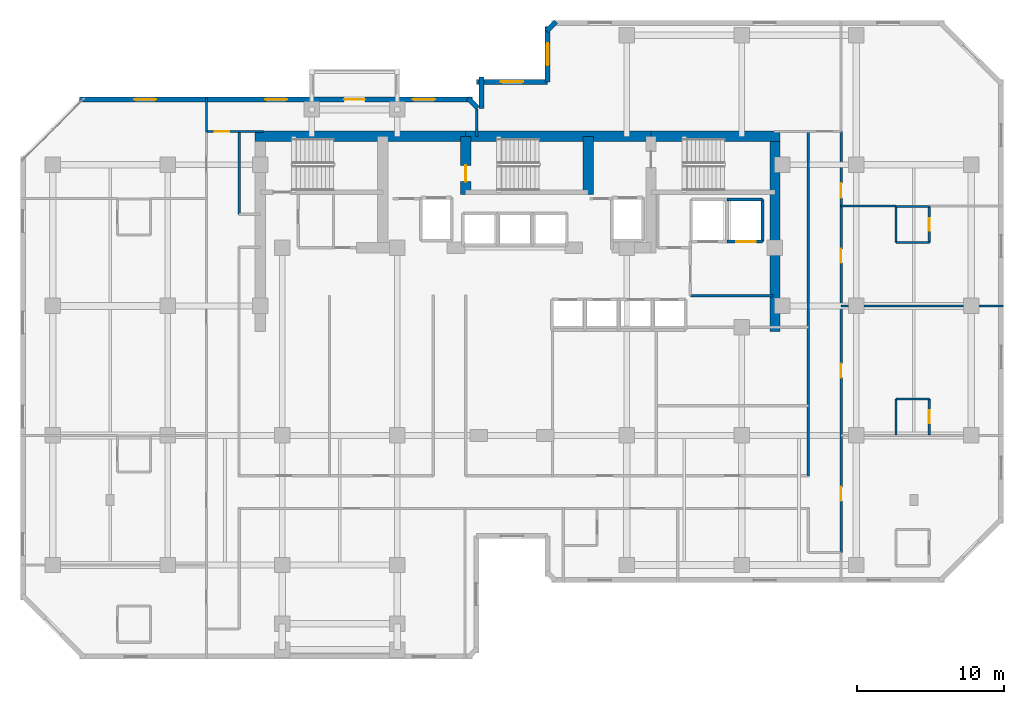
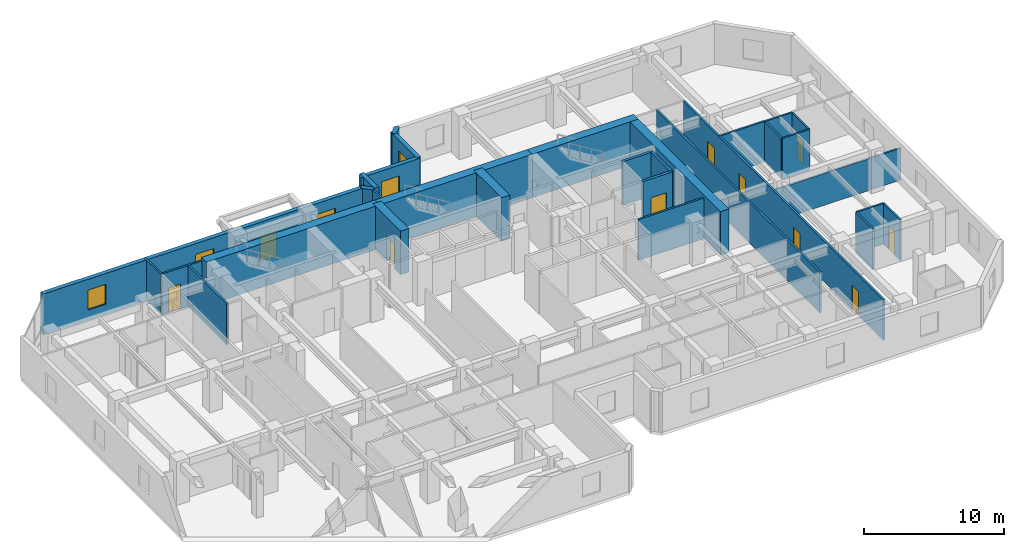
# One storey, part 7 of 9: 31 walls, 10 doors, 5 windows, 15 openings.
"""IFC4 building model written with IfcOpenShell, lengths in metres."""

from ifc_helpers import new_model, si_unit, direction, frame, frame_2d, origin, place, context, subcontext, project, spatial, rectangle, extrude, material, layer, layer_set, type_object, element, fill, save


model = new_model("IFC4")

# Units and contexts
model_context = context("Model", 3, precision=1e-05, world=origin(), true_north=direction((0.0, 1.0)))
body_context = subcontext(model_context, "Body", "Model", "MODEL_VIEW")
ifc_project = project(units=[si_unit("LENGTHUNIT", "METRE"), si_unit("AREAUNIT", "SQUARE_METRE"), si_unit("VOLUMEUNIT", "CUBIC_METRE"), si_unit("PLANEANGLEUNIT", "RADIAN"), si_unit("MASSUNIT", "GRAM", prefix="KILO")], contexts=[model_context])

# Site, building, storey
site_placement = place(None, origin())
site = spatial("IfcSite", under=ifc_project, at=site_placement, CompositionType="ELEMENT")
building_placement = place(site_placement, origin())
building = spatial("IfcBuilding", under=site, at=building_placement, Name="Kestravale Grand Hotel", CompositionType="ELEMENT")
storey_placement = place(building_placement, frame((0.0, 0.0, 176.39990234375)))
storey = spatial("IfcBuildingStorey", under=building, at=storey_placement, Name="L44", CompositionType="ELEMENT", Elevation=176.39990234375)

# Walls
ifc_material_1 = material(Name="Concrete f'c 60 MPa", Category="concrete")
ifc_layer_1 = layer(ifc_material_1, 0.699951171875)
ifc_layer_set_1 = layer_set([ifc_layer_1], Name="EW-CORE-700")
wall_type_1 = type_object("IfcWallType", Name="EW-CORE-700", PredefinedType="SHEAR", material=ifc_layer_set_1)
wall_1_placement = place(storey_placement, frame((21.550048828125, 40.320068359375, 0.0), z_axis=(0.0, 0.0, 1.0), x_axis=(1.0, 0.0, 0.0)))
element("IfcWall", 1, at=wall_1_placement, inside=storey, type_object=wall_type_1, Name="L44 core shear wall N1", PredefinedType="SHEAR", context=body_context, shape_type="SweptSolid", body=[
    extrude(rectangle(XDim=14.300048828125, YDim=0.699951171875, at=frame_2d((7.14990234375, 0.0))), origin(), (0.0, 0.0, 1.0), 3.800048828125),
])
wall_2_placement = place(storey_placement, frame((35.85009765625, 40.320068359375, 0.0), z_axis=(0.0, 0.0, 1.0), x_axis=(1.0, 0.0, 0.0)))
element("IfcWall", 2, at=wall_2_placement, inside=storey, type_object=wall_type_1, Name="L44 core shear wall N2", PredefinedType="SHEAR", context=body_context, shape_type="SweptSolid", body=[
    extrude(rectangle(XDim=12.599853515625, YDim=0.699951171875, at=frame_2d((6.2998046875, 0.0))), origin(), (0.0, 0.0, 1.0), 3.800048828125),
])
wall_3_placement = place(storey_placement, frame((48.449951171875, 40.320068359375, 0.0), z_axis=(0.0, 0.0, 1.0), x_axis=(1.0, 0.0, 0.0)))
element("IfcWall", 3, at=wall_3_placement, inside=storey, type_object=wall_type_1, Name="L44 core shear wall N3", PredefinedType="SHEAR", context=body_context, shape_type="SweptSolid", body=[
    extrude(rectangle(XDim=8.77001953125, YDim=0.699951171875, at=frame_2d((4.385009765625, 0.0))), origin(), (0.0, 0.0, 1.0), 3.800048828125),
])
wall_4_placement = place(storey_placement, frame((56.8701171875, 27.050048828125, 0.0), z_axis=(0.0, 0.0, 1.0), x_axis=(0.0, 1.0, 0.0)))
element("IfcWall", 4, at=wall_4_placement, inside=storey, type_object=wall_type_1, Name="L44 core shear wall E1", PredefinedType="SHEAR", context=body_context, shape_type="SweptSolid", body=[
    extrude(rectangle(XDim=13.619873046875, YDim=0.699951171875, at=frame_2d((6.81005859375, 0.0))), origin(), (0.0, 0.0, 1.0), 3.800048828125),
])

# Wall, opening, door
wall_5_placement = place(storey_placement, frame((35.85009765625, 36.3701171875, 0.0), z_axis=(0.0, 0.0, 1.0), x_axis=(0.0, 1.0, 0.0)))
wall_5 = element("IfcWall", 5, at=wall_5_placement, inside=storey, type_object=wall_type_1, Name="L44 core shear wall X2", PredefinedType="SHEAR", context=body_context, shape_type="SweptSolid", body=[
    extrude(rectangle(XDim=3.949951171875, YDim=0.699951171875, at=frame_2d((1.97509765625, 0.0))), origin(), (0.0, 0.0, 1.0), 3.800048828125),
])
opening_1_placement = place(wall_5_placement, frame((0.8798828125, 0.0, 0.0)))
opening_1 = element("IfcOpeningElement", 6, at=opening_1_placement, cuts=wall_5, Name="Opening D-ST-1100", PredefinedType="OPENING", context=body_context, shape_type="SweptSolid", body=[
    extrude(rectangle(XDim=1.10009765625, YDim=2.14990234375, at=frame_2d((0.550048828125, 1.074951171875))), frame((0.0, 0.35986328125, 0.0), z_axis=(0.0, -1.0, 0.0), x_axis=(1.0, 0.0, 0.0)), (0.0, 0.0, 1.0), 0.719970703125),
])
ifc_material_2 = material(Name="Galvanised 90-minute fire-rated steel stair door", Category="steel")
door_type_1 = type_object("IfcDoorType", Name="D-ST-1100", OperationType="NOTDEFINED", PredefinedType="DOOR", material=ifc_material_2)
door_1_placement = place(opening_1_placement, origin())
door_1 = element("IfcDoor", 7, at=door_1_placement, inside=storey, type_object=door_type_1, Name="L44 Stair ST-2 FSAE fire door", OperationType="SINGLE_SWING_RIGHT", OverallHeight=2.14990234375, OverallWidth=1.10009765625, PredefinedType="DOOR", context=body_context, shape_type="SweptSolid", body=[
    extrude(rectangle(XDim=1.10009765625, YDim=2.14990234375, at=frame_2d((0.550048828125, 1.074951171875))), frame((0.0, 0.02490234375, 0.0), z_axis=(0.0, -1.0, 0.0), x_axis=(1.0, 0.0, 0.0)), (0.0, 0.0, 1.0), 0.050048828125),
])
fill(opening_1, door_1)

# Walls
wall_6_placement = place(storey_placement, frame((44.179931640625, 36.3701171875, 0.0), z_axis=(0.0, 0.0, 1.0), x_axis=(0.0, 1.0, 0.0)))
element("IfcWall", 8, at=wall_6_placement, inside=storey, type_object=wall_type_1, Name="L44 core shear wall X3", PredefinedType="SHEAR", context=body_context, shape_type="SweptSolid", body=[
    extrude(rectangle(XDim=3.949951171875, YDim=0.699951171875, at=frame_2d((1.97509765625, 0.0))), origin(), (0.0, 0.0, 1.0), 3.800048828125),
])
ifc_material_3 = material(Name="Precast concrete f'c 45 MPa", Category="concrete")
ifc_layer_2 = layer(ifc_material_3, 0.340087890625)
ifc_layer_set_2 = layer_set([ifc_layer_2], Name="EW-PREC-340")
wall_type_2 = type_object("IfcWallType", Name="EW-PREC-340", PredefinedType="SOLIDWALL", material=ifc_layer_set_2)
wall_7_placement = place(storey_placement, frame((41.99853515625, 48.108154296875, 0.0), z_axis=(0.0, 0.0, 1.0), x_axis=(-0.707106781187, -0.707106781187, 0.0)))
element("IfcWall", 9, at=wall_7_placement, inside=storey, type_object=wall_type_2, Name="L44 fluted precast facade wall 12", PredefinedType="SOLIDWALL", context=body_context, shape_type="SweptSolid", body=[
    extrude(rectangle(XDim=0.9287109375, YDim=0.340087890625, at=frame_2d((0.46435546875, 0.0))), origin(), (0.0, 0.0, 1.0), 3.550048828125),
])

# Wall, opening, window
wall_8_placement = place(storey_placement, frame((41.419921875, 47.77001953125, 0.0), z_axis=(0.0, 0.0, 1.0), x_axis=(0.0, -1.0, 0.0)))
wall_8 = element("IfcWall", 10, at=wall_8_placement, inside=storey, type_object=wall_type_2, Name="L44 fluted precast facade wall 13", PredefinedType="SOLIDWALL", context=body_context, shape_type="SweptSolid", body=[
    extrude(rectangle(XDim=3.739990234375, YDim=0.340087890625, at=frame_2d((1.8701171875, 0.0))), origin(), (0.0, 0.0, 1.0), 3.550048828125),
])
opening_2_placement = place(wall_8_placement, frame((1.1201171875, 0.0, 0.85009765625)))
opening_2 = element("IfcOpeningElement", 11, at=opening_2_placement, cuts=wall_8, Name="Opening W-GUEST-1500", PredefinedType="OPENING", context=body_context, shape_type="SweptSolid", body=[
    extrude(rectangle(XDim=1.5, YDim=1.75, at=frame_2d((0.75, 0.875))), frame((0.0, 0.179931640625, 0.0), z_axis=(0.0, -1.0, 0.0), x_axis=(1.0, 0.0, 0.0)), (0.0, 0.0, 1.0), 0.360107421875),
])
ifc_material_4 = material(Name="Insulated low-E double glazing in aluminium frame", Category="aluminium")
window_type = type_object("IfcWindowType", Name="W-GUEST-1500", PartitioningType="SINGLE_PANEL", PredefinedType="WINDOW", material=ifc_material_4)
window_1_placement = place(opening_2_placement, origin())
window_1 = element("IfcWindow", 12, at=window_1_placement, inside=storey, type_object=window_type, Name="L44 exterior window 13.1", OverallHeight=1.75, OverallWidth=1.5, PartitioningType="SINGLE_PANEL", PredefinedType="WINDOW", context=body_context, shape_type="SweptSolid", body=[
    extrude(rectangle(XDim=1.5, YDim=1.75, at=frame_2d((0.75, 0.875))), frame((0.0, 0.030029296875, 0.0), z_axis=(0.0, -1.0, 0.0), x_axis=(1.0, 0.0, 0.0)), (0.0, 0.0, 1.0), 0.06005859375),
])
fill(opening_2, window_1)

wall_9_placement = place(storey_placement, frame((41.419921875, 44.030029296875, 0.0), z_axis=(0.0, 0.0, 1.0), x_axis=(-1.0, 0.0, 0.0)))
wall_9 = element("IfcWall", 13, at=wall_9_placement, inside=storey, type_object=wall_type_2, Name="L44 fluted precast facade wall 14", PredefinedType="SOLIDWALL", context=body_context, shape_type="SweptSolid", body=[
    extrude(rectangle(XDim=4.83984375, YDim=0.340087890625, at=frame_2d((2.419921875, 0.0))), origin(), (0.0, 0.0, 1.0), 3.550048828125),
])
opening_3_placement = place(wall_9_placement, frame((1.669921875, 0.0, 0.85009765625)))
opening_3 = element("IfcOpeningElement", 14, at=opening_3_placement, cuts=wall_9, Name="Opening W-GUEST-1500", PredefinedType="OPENING", context=body_context, shape_type="SweptSolid", body=[
    extrude(rectangle(XDim=1.5, YDim=1.75, at=frame_2d((0.75, 0.875))), frame((0.0, 0.179931640625, 0.0), z_axis=(0.0, -1.0, 0.0), x_axis=(1.0, 0.0, 0.0)), (0.0, 0.0, 1.0), 0.360107421875),
])
window_2_placement = place(opening_3_placement, origin())
window_2 = element("IfcWindow", 15, at=window_2_placement, inside=storey, type_object=window_type, Name="L44 exterior window 14.1", OverallHeight=1.75, OverallWidth=1.5, PartitioningType="SINGLE_PANEL", PredefinedType="WINDOW", context=body_context, shape_type="SweptSolid", body=[
    extrude(rectangle(XDim=1.5, YDim=1.75, at=frame_2d((0.75, 0.875))), frame((0.0, 0.030029296875, 0.0), z_axis=(0.0, -1.0, 0.0), x_axis=(1.0, 0.0, 0.0)), (0.0, 0.0, 1.0), 0.06005859375),
])
fill(opening_3, window_2)

# Walls
wall_10_placement = place(storey_placement, frame((36.919921875, 44.3701171875, 0.0), z_axis=(0.0, 0.0, 1.0), x_axis=(0.0, -1.0, 0.0)))
element("IfcWall", 16, at=wall_10_placement, inside=storey, type_object=wall_type_2, Name="L44 fluted precast facade wall 15", PredefinedType="SOLIDWALL", context=body_context, shape_type="SweptSolid", body=[
    extrude(rectangle(XDim=2.14013671875, YDim=0.340087890625, at=frame_2d((1.070068359375, 0.0))), origin(), (0.0, 0.0, 1.0), 3.550048828125),
])
wall_11_placement = place(storey_placement, frame((36.658203125, 42.25146484375, 0.0), z_axis=(0.0, 0.0, 1.0), x_axis=(-0.707106781187, 0.707106781187, 0.0)))
element("IfcWall", 17, at=wall_11_placement, inside=storey, type_object=wall_type_2, Name="L44 fluted precast facade wall 16", PredefinedType="SOLIDWALL", context=body_context, shape_type="SweptSolid", body=[
    extrude(rectangle(XDim=0.9287109375, YDim=0.340087890625, at=frame_2d((0.46435546875, 0.0))), origin(), (0.0, 0.0, 1.0), 3.550048828125),
])

# Wall, openings, door, windows
wall_12_placement = place(storey_placement, frame((36.320068359375, 42.830078125, 0.0), z_axis=(0.0, 0.0, 1.0), x_axis=(-1.0, 0.0, 0.0)))
wall_12 = element("IfcWall", 18, at=wall_12_placement, inside=storey, type_object=wall_type_2, Name="L44 fluted precast facade wall 17", PredefinedType="SOLIDWALL", context=body_context, shape_type="SweptSolid", body=[
    extrude(rectangle(XDim=26.690185546875, YDim=0.340087890625, at=frame_2d((13.34521484375, 0.0))), origin(), (0.0, 0.0, 1.0), 3.550048828125),
])
opening_4_placement = place(wall_12_placement, frame((7.320068359375, 0.0, 0.0)))
opening_4 = element("IfcOpeningElement", 19, at=opening_4_placement, cuts=wall_12, Name="Opening D-TERR-1400", PredefinedType="OPENING", context=body_context, shape_type="SweptSolid", body=[
    extrude(rectangle(XDim=1.39990234375, YDim=2.14990234375, at=frame_2d((0.699951171875, 1.074951171875))), frame((0.0, 0.179931640625, 0.0), z_axis=(0.0, -1.0, 0.0), x_axis=(1.0, 0.0, 0.0)), (0.0, 0.0, 1.0), 0.360107421875),
])
opening_5_placement = place(wall_12_placement, frame((2.54833984375, 0.0, 0.85009765625)))
opening_5 = element("IfcOpeningElement", 20, at=opening_5_placement, cuts=wall_12, Name="Opening W-GUEST-1500", PredefinedType="OPENING", context=body_context, shape_type="SweptSolid", body=[
    extrude(rectangle(XDim=1.5, YDim=1.75, at=frame_2d((0.75, 0.875))), frame((0.0, 0.179931640625, 0.0), z_axis=(0.0, -1.0, 0.0), x_axis=(1.0, 0.0, 0.0)), (0.0, 0.0, 1.0), 0.360107421875),
])
opening_6_placement = place(wall_12_placement, frame((12.594970703125, 0.0, 0.85009765625)))
opening_6 = element("IfcOpeningElement", 21, at=opening_6_placement, cuts=wall_12, Name="Opening W-GUEST-1500", PredefinedType="OPENING", context=body_context, shape_type="SweptSolid", body=[
    extrude(rectangle(XDim=1.5, YDim=1.75, at=frame_2d((0.75, 0.875))), frame((0.0, 0.179931640625, 0.0), z_axis=(0.0, -1.0, 0.0), x_axis=(1.0, 0.0, 0.0)), (0.0, 0.0, 1.0), 0.360107421875),
])
opening_7_placement = place(wall_12_placement, frame((21.49169921875, 0.0, 0.85009765625)))
opening_7 = element("IfcOpeningElement", 22, at=opening_7_placement, cuts=wall_12, Name="Opening W-GUEST-1500", PredefinedType="OPENING", context=body_context, shape_type="SweptSolid", body=[
    extrude(rectangle(XDim=1.5, YDim=1.75, at=frame_2d((0.75, 0.875))), frame((0.0, 0.179931640625, 0.0), z_axis=(0.0, -1.0, 0.0), x_axis=(1.0, 0.0, 0.0)), (0.0, 0.0, 1.0), 0.360107421875),
])
ifc_material_5 = material(Name="Insulated glazed champagne-bronze aluminium door", Category="aluminium")
door_type_2 = type_object("IfcDoorType", Name="D-TERR-1400", OperationType="NOTDEFINED", PredefinedType="DOOR", material=ifc_material_5)
door_2_placement = place(opening_4_placement, origin())
door_2 = element("IfcDoor", 23, at=door_2_placement, inside=storey, type_object=door_type_2, Name="L44 outdoor garden terrace door", OperationType="DOUBLE_DOOR_SINGLE_SWING", OverallHeight=2.14990234375, OverallWidth=1.39990234375, PredefinedType="DOOR", context=body_context, shape_type="SweptSolid", body=[
    extrude(rectangle(XDim=1.39990234375, YDim=2.14990234375, at=frame_2d((0.699951171875, 1.074951171875))), frame((0.0, 0.02490234375, 0.0), z_axis=(0.0, -1.0, 0.0), x_axis=(1.0, 0.0, 0.0)), (0.0, 0.0, 1.0), 0.050048828125),
])
fill(opening_4, door_2)
window_3_placement = place(opening_5_placement, origin())
window_3 = element("IfcWindow", 24, at=window_3_placement, inside=storey, type_object=window_type, Name="L44 exterior window 17.1", OverallHeight=1.75, OverallWidth=1.5, PartitioningType="SINGLE_PANEL", PredefinedType="WINDOW", context=body_context, shape_type="SweptSolid", body=[
    extrude(rectangle(XDim=1.5, YDim=1.75, at=frame_2d((0.75, 0.875))), frame((0.0, 0.030029296875, 0.0), z_axis=(0.0, -1.0, 0.0), x_axis=(1.0, 0.0, 0.0)), (0.0, 0.0, 1.0), 0.06005859375),
])
fill(opening_5, window_3)
window_4_placement = place(opening_6_placement, origin())
window_4 = element("IfcWindow", 25, at=window_4_placement, inside=storey, type_object=window_type, Name="L44 exterior window 17.2", OverallHeight=1.75, OverallWidth=1.5, PartitioningType="SINGLE_PANEL", PredefinedType="WINDOW", context=body_context, shape_type="SweptSolid", body=[
    extrude(rectangle(XDim=1.5, YDim=1.75, at=frame_2d((0.75, 0.875))), frame((0.0, 0.030029296875, 0.0), z_axis=(0.0, -1.0, 0.0), x_axis=(1.0, 0.0, 0.0)), (0.0, 0.0, 1.0), 0.06005859375),
])
fill(opening_6, window_4)
window_5_placement = place(opening_7_placement, origin())
window_5 = element("IfcWindow", 26, at=window_5_placement, inside=storey, type_object=window_type, Name="L44 exterior window 17.3", OverallHeight=1.75, OverallWidth=1.5, PartitioningType="SINGLE_PANEL", PredefinedType="WINDOW", context=body_context, shape_type="SweptSolid", body=[
    extrude(rectangle(XDim=1.5, YDim=1.75, at=frame_2d((0.75, 0.875))), frame((0.0, 0.030029296875, 0.0), z_axis=(0.0, -1.0, 0.0), x_axis=(1.0, 0.0, 0.0)), (0.0, 0.0, 1.0), 0.06005859375),
])
fill(opening_7, window_5)

# Walls
ifc_material_6 = material(Name="Acoustic fire-rated gypsum board partition", Category="other")
ifc_layer_3 = layer(ifc_material_6, 0.159912109375)
ifc_layer_set_3 = layer_set([ifc_layer_3], Name="IW-CORR-160")
wall_type_3 = type_object("IfcWallType", Name="IW-CORR-160", PredefinedType="PARTITIONING", material=ifc_layer_set_3)
for number, where, z_axis, x_axis, name in (
    (27, (51.1201171875, 29.5, 0.0), (0.0, 0.0, 1.0), (1.0, 0.0, 0.0), "L44 service lift lobby wall"),
    (28, (20.4599609375, 35.02001953125, 0.0), (0.0, 0.0, 1.0), (0.0, 1.0, 0.0), "W-L44-SW-EN"),
):
    element("IfcWall", number, at=place(storey_placement, frame(where, z_axis=z_axis, x_axis=x_axis)), inside=storey, type_object=wall_type_3, Name=name, PredefinedType="PARTITIONING", context=body_context, shape_type="SweptSolid", body=[
        extrude(rectangle(XDim=5.6298828125, YDim=0.159912109375, at=frame_2d((2.81494140625, 0.0))), origin(), (0.0, 0.0, 1.0), 3.550048828125),
    ])

# Wall, openings, doors
wall_13_placement = place(storey_placement, frame((61.360107421875, 12.050048828125, 0.0), z_axis=(0.0, 0.0, 1.0), x_axis=(0.0, 1.0, 0.0)))
wall_13 = element("IfcWall", 29, at=wall_13_placement, inside=storey, type_object=wall_type_3, Name="W-L44-SE-E", PredefinedType="PARTITIONING", context=body_context, shape_type="SweptSolid", body=[
    extrude(rectangle(XDim=28.599853515625, YDim=0.159912109375, at=frame_2d((14.2998046875, 0.0))), origin(), (0.0, 0.0, 1.0), 3.550048828125),
])
opening_8_placement = place(wall_13_placement, frame((3.5, 0.0, 0.0)))
opening_8 = element("IfcOpeningElement", 30, at=opening_8_placement, cuts=wall_13, Name="Opening D-GUEST-950", PredefinedType="OPENING", context=body_context, shape_type="SweptSolid", body=[
    extrude(rectangle(XDim=0.949951171875, YDim=2.10009765625, at=frame_2d((0.47509765625, 1.050048828125))), frame((0.0, 0.08984375, 0.0), z_axis=(0.0, -1.0, 0.0), x_axis=(1.0, 0.0, 0.0)), (0.0, 0.0, 1.0), 0.179931640625),
])
opening_9_placement = place(wall_13_placement, frame((11.875, 0.0, 0.0)))
opening_9 = element("IfcOpeningElement", 31, at=opening_9_placement, cuts=wall_13, Name="Opening D-GUEST-950", PredefinedType="OPENING", context=body_context, shape_type="SweptSolid", body=[
    extrude(rectangle(XDim=0.949951171875, YDim=2.10009765625, at=frame_2d((0.47509765625, 1.050048828125))), frame((0.0, 0.08984375, 0.0), z_axis=(0.0, -1.0, 0.0), x_axis=(1.0, 0.0, 0.0)), (0.0, 0.0, 1.0), 0.179931640625),
])
opening_10_placement = place(wall_13_placement, frame((19.675048828125, 0.0, 0.0)))
opening_10 = element("IfcOpeningElement", 32, at=opening_10_placement, cuts=wall_13, Name="Opening D-GUEST-950", PredefinedType="OPENING", context=body_context, shape_type="SweptSolid", body=[
    extrude(rectangle(XDim=0.949951171875, YDim=2.10009765625, at=frame_2d((0.47509765625, 1.050048828125))), frame((0.0, 0.08984375, 0.0), z_axis=(0.0, -1.0, 0.0), x_axis=(1.0, 0.0, 0.0)), (0.0, 0.0, 1.0), 0.179931640625),
])
opening_11_placement = place(wall_13_placement, frame((24.10009765625, 0.0, 0.0)))
opening_11 = element("IfcOpeningElement", 33, at=opening_11_placement, cuts=wall_13, Name="Opening D-GUEST-1000", PredefinedType="OPENING", context=body_context, shape_type="SweptSolid", body=[
    extrude(rectangle(XDim=1.0, YDim=2.14990234375, at=frame_2d((0.5, 1.074951171875))), frame((0.0, 0.08984375, 0.0), z_axis=(0.0, -1.0, 0.0), x_axis=(1.0, 0.0, 0.0)), (0.0, 0.0, 1.0), 0.179931640625),
])
ifc_material_7 = material(Name="Accessible walnut veneer hotel entrance fire door", Category="wood")
door_type_3 = type_object("IfcDoorType", Name="D-GUEST-1000", OperationType="NOTDEFINED", PredefinedType="DOOR", material=ifc_material_7)
door_3_placement = place(opening_11_placement, origin())
door_3 = element("IfcDoor", 34, at=door_3_placement, inside=storey, type_object=door_type_3, Name="D-L44-AMEW", OperationType="SINGLE_SWING_RIGHT", OverallHeight=2.14990234375, OverallWidth=1.0, PredefinedType="DOOR", context=body_context, shape_type="SweptSolid", body=[
    extrude(rectangle(XDim=1.0, YDim=2.14990234375, at=frame_2d((0.5, 1.074951171875))), frame((0.0, 0.02490234375, 0.0), z_axis=(0.0, -1.0, 0.0), x_axis=(1.0, 0.0, 0.0)), (0.0, 0.0, 1.0), 0.050048828125),
])
fill(opening_11, door_3)
ifc_material_8 = material(Name="Walnut veneer hotel guestroom entrance fire door", Category="wood")
door_type_4 = type_object("IfcDoorType", Name="D-GUEST-950", OperationType="NOTDEFINED", PredefinedType="DOOR", material=ifc_material_8)
door_4_placement = place(opening_8_placement, origin())
door_4 = element("IfcDoor", 35, at=door_4_placement, inside=storey, type_object=door_type_4, Name="D-L44-U05-ENT", OperationType="SINGLE_SWING_LEFT", OverallHeight=2.10009765625, OverallWidth=0.949951171875, PredefinedType="DOOR", context=body_context, shape_type="SweptSolid", body=[
    extrude(rectangle(XDim=0.949951171875, YDim=2.10009765625, at=frame_2d((0.47509765625, 1.050048828125))), frame((0.0, 0.02490234375, 0.0), z_axis=(0.0, -1.0, 0.0), x_axis=(1.0, 0.0, 0.0)), (0.0, 0.0, 1.0), 0.050048828125),
])
fill(opening_8, door_4)
door_5_placement = place(opening_9_placement, origin())
door_5 = element("IfcDoor", 36, at=door_5_placement, inside=storey, type_object=door_type_4, Name="D-L44-U06-ENT", OperationType="SINGLE_SWING_LEFT", OverallHeight=2.10009765625, OverallWidth=0.949951171875, PredefinedType="DOOR", context=body_context, shape_type="SweptSolid", body=[
    extrude(rectangle(XDim=0.949951171875, YDim=2.10009765625, at=frame_2d((0.47509765625, 1.050048828125))), frame((0.0, 0.02490234375, 0.0), z_axis=(0.0, -1.0, 0.0), x_axis=(1.0, 0.0, 0.0)), (0.0, 0.0, 1.0), 0.050048828125),
])
fill(opening_9, door_5)
door_6_placement = place(opening_10_placement, origin())
door_6 = element("IfcDoor", 37, at=door_6_placement, inside=storey, type_object=door_type_4, Name="D-L44-U07-ENT", OperationType="SINGLE_SWING_LEFT", OverallHeight=2.10009765625, OverallWidth=0.949951171875, PredefinedType="DOOR", context=body_context, shape_type="SweptSolid", body=[
    extrude(rectangle(XDim=0.949951171875, YDim=2.10009765625, at=frame_2d((0.47509765625, 1.050048828125))), frame((0.0, 0.02490234375, 0.0), z_axis=(0.0, -1.0, 0.0), x_axis=(1.0, 0.0, 0.0)), (0.0, 0.0, 1.0), 0.050048828125),
])
fill(opening_10, door_6)

# Walls
wall_14_placement = place(storey_placement, frame((59.139892578125, 17.260009765625, 0.0), z_axis=(0.0, 0.0, 1.0), x_axis=(0.0, 1.0, 0.0)))
element("IfcWall", 38, at=wall_14_placement, inside=storey, type_object=wall_type_3, Name="W-L44-SE-WU", PredefinedType="PARTITIONING", context=body_context, shape_type="SweptSolid", body=[
    extrude(rectangle(XDim=23.389892578125, YDim=0.159912109375, at=frame_2d((11.69482421875, 0.0))), origin(), (0.0, 0.0, 1.0), 3.550048828125),
])
ifc_material_9 = material(Name="Moisture-resistant tile-backer plumbing chase wall", Category="other")
ifc_layer_4 = layer(ifc_material_9, 0.139892578125)
ifc_layer_set_4 = layer_set([ifc_layer_4], Name="IW-PLB-140")
wall_type_4 = type_object("IfcWallType", Name="IW-PLB-140", PredefinedType="PLUMBINGWALL", material=ifc_layer_set_4)
wall_15_placement = place(storey_placement, frame((65.10009765625, 20.0400390625, 0.0), z_axis=(0.0, 0.0, 1.0), x_axis=(0.0, 1.0, 0.0)))
element("IfcWall", 39, at=wall_15_placement, inside=storey, type_object=wall_type_4, Name="W-L44-U06-BW", PredefinedType="PLUMBINGWALL", context=body_context, shape_type="SweptSolid", body=[
    extrude(rectangle(XDim=2.449951171875, YDim=0.139892578125, at=frame_2d((1.22509765625, 0.0))), origin(), (0.0, 0.0, 1.0), 3.550048828125),
])

# Wall, opening, door
wall_16_placement = place(storey_placement, frame((67.35009765625, 20.0400390625, 0.0), z_axis=(0.0, 0.0, 1.0), x_axis=(0.0, 1.0, 0.0)))
wall_16 = element("IfcWall", 40, at=wall_16_placement, inside=storey, type_object=wall_type_4, Name="W-L44-U06-BE", PredefinedType="PLUMBINGWALL", context=body_context, shape_type="SweptSolid", body=[
    extrude(rectangle(XDim=2.449951171875, YDim=0.139892578125, at=frame_2d((1.22509765625, 0.0))), origin(), (0.0, 0.0, 1.0), 3.550048828125),
])
opening_12_placement = place(wall_16_placement, frame((0.784912109375, 0.0, 0.0)))
opening_12 = element("IfcOpeningElement", 41, at=opening_12_placement, cuts=wall_16, Name="Opening D-BATH-880", PredefinedType="OPENING", context=body_context, shape_type="SweptSolid", body=[
    extrude(rectangle(XDim=0.8798828125, YDim=2.050048828125, at=frame_2d((0.43994140625, 1.02490234375))), frame((0.0, 0.079833984375, 0.0), z_axis=(0.0, -1.0, 0.0), x_axis=(1.0, 0.0, 0.0)), (0.0, 0.0, 1.0), 0.159912109375),
])
ifc_material_10 = material(Name="Moisture-sealed walnut en-suite bathroom door", Category="wood")
door_type_5 = type_object("IfcDoorType", Name="D-BATH-880", OperationType="NOTDEFINED", PredefinedType="DOOR", material=ifc_material_10)
door_7_placement = place(opening_12_placement, origin())
door_7 = element("IfcDoor", 42, at=door_7_placement, inside=storey, type_object=door_type_5, Name="D-L44-U06-BATH", OperationType="SINGLE_SWING_RIGHT", OverallHeight=2.050048828125, OverallWidth=0.8798828125, PredefinedType="DOOR", context=body_context, shape_type="SweptSolid", body=[
    extrude(rectangle(XDim=0.8798828125, YDim=2.050048828125, at=frame_2d((0.43994140625, 1.02490234375))), frame((0.0, 0.02490234375, 0.0), z_axis=(0.0, -1.0, 0.0), x_axis=(1.0, 0.0, 0.0)), (0.0, 0.0, 1.0), 0.050048828125),
])
fill(opening_12, door_7)

# Walls
wall_17_placement = place(storey_placement, frame((65.10009765625, 22.489990234375, 0.0), z_axis=(0.0, 0.0, 1.0), x_axis=(1.0, 0.0, 0.0)))
element("IfcWall", 43, at=wall_17_placement, inside=storey, type_object=wall_type_4, Name="W-L44-U06-BN", PredefinedType="PLUMBINGWALL", context=body_context, shape_type="SweptSolid", body=[
    extrude(rectangle(XDim=2.25, YDim=0.139892578125, at=frame_2d((1.125, 0.0))), origin(), (0.0, 0.0, 1.0), 3.550048828125),
])
wall_18_placement = place(storey_placement, frame((65.10009765625, 33.110107421875, 0.0), z_axis=(0.0, 0.0, 1.0), x_axis=(0.0, 1.0, 0.0)))
element("IfcWall", 44, at=wall_18_placement, inside=storey, type_object=wall_type_4, Name="W-L44-U07-BW", PredefinedType="PLUMBINGWALL", context=body_context, shape_type="SweptSolid", body=[
    extrude(rectangle(XDim=2.449951171875, YDim=0.139892578125, at=frame_2d((1.22509765625, 0.0))), origin(), (0.0, 0.0, 1.0), 3.550048828125),
])

# Wall, opening, door
wall_19_placement = place(storey_placement, frame((67.35009765625, 33.110107421875, 0.0), z_axis=(0.0, 0.0, 1.0), x_axis=(0.0, 1.0, 0.0)))
wall_19 = element("IfcWall", 45, at=wall_19_placement, inside=storey, type_object=wall_type_4, Name="W-L44-U07-BE", PredefinedType="PLUMBINGWALL", context=body_context, shape_type="SweptSolid", body=[
    extrude(rectangle(XDim=2.449951171875, YDim=0.139892578125, at=frame_2d((1.22509765625, 0.0))), origin(), (0.0, 0.0, 1.0), 3.550048828125),
])
opening_13_placement = place(wall_19_placement, frame((0.784912109375, 0.0, 0.0)))
opening_13 = element("IfcOpeningElement", 46, at=opening_13_placement, cuts=wall_19, Name="Opening D-BATH-880", PredefinedType="OPENING", context=body_context, shape_type="SweptSolid", body=[
    extrude(rectangle(XDim=0.8798828125, YDim=2.050048828125, at=frame_2d((0.43994140625, 1.02490234375))), frame((0.0, 0.079833984375, 0.0), z_axis=(0.0, -1.0, 0.0), x_axis=(1.0, 0.0, 0.0)), (0.0, 0.0, 1.0), 0.159912109375),
])
door_8_placement = place(opening_13_placement, origin())
door_8 = element("IfcDoor", 47, at=door_8_placement, inside=storey, type_object=door_type_5, Name="D-L44-U07-BATH", OperationType="SINGLE_SWING_RIGHT", OverallHeight=2.050048828125, OverallWidth=0.8798828125, PredefinedType="DOOR", context=body_context, shape_type="SweptSolid", body=[
    extrude(rectangle(XDim=0.8798828125, YDim=2.050048828125, at=frame_2d((0.43994140625, 1.02490234375))), frame((0.0, 0.02490234375, 0.0), z_axis=(0.0, -1.0, 0.0), x_axis=(1.0, 0.0, 0.0)), (0.0, 0.0, 1.0), 0.050048828125),
])
fill(opening_13, door_8)

# Walls
for number, where, z_axis, x_axis, name in (
    (48, (65.10009765625, 33.110107421875, 0.0), (0.0, 0.0, 1.0), (1.0, 0.0, 0.0), "W-L44-U07-BS"),
    (49, (65.10009765625, 35.56005859375, 0.0), (0.0, 0.0, 1.0), (1.0, 0.0, 0.0), "W-L44-U07-BN"),
):
    element("IfcWall", number, at=place(storey_placement, frame(where, z_axis=z_axis, x_axis=x_axis)), inside=storey, type_object=wall_type_4, Name=name, PredefinedType="PLUMBINGWALL", context=body_context, shape_type="SweptSolid", body=[
        extrude(rectangle(XDim=2.25, YDim=0.139892578125, at=frame_2d((1.125, 0.0))), origin(), (0.0, 0.0, 1.0), 3.550048828125),
    ])
ifc_material_11 = material(Name="Concrete f'c 45 MPa", Category="concrete")
ifc_layer_5 = layer(ifc_material_11, 0.199951171875)
ifc_layer_set_5 = layer_set([ifc_layer_5], Name="IW-SHAFT-200")
wall_type_5 = type_object("IfcWallType", Name="IW-SHAFT-200", PredefinedType="SHEAR", material=ifc_layer_set_5)
wall_20_placement = place(storey_placement, frame((56.02001953125, 33.169921875, 0.0), z_axis=(0.0, 0.0, 1.0), x_axis=(0.0, 1.0, 0.0)))
element("IfcWall", 50, at=wall_20_placement, inside=storey, type_object=wall_type_5, Name="L44 SL-2 east shaft wall", PredefinedType="SHEAR", context=body_context, shape_type="SweptSolid", body=[
    extrude(rectangle(XDim=2.860107421875, YDim=0.199951171875, at=frame_2d((1.43017578125, 0.0))), origin(), (0.0, 0.0, 1.0), 3.800048828125),
])
ifc_material_12 = material(Name="Concrete f'c 45 MPa", Category="concrete")
ifc_layer_6 = layer(ifc_material_12, 0.219970703125)
ifc_layer_set_6 = layer_set([ifc_layer_6], Name="IW-SHAFT-220")
wall_type_6 = type_object("IfcWallType", Name="IW-SHAFT-220", PredefinedType="SHEAR", material=ifc_layer_set_6)
wall_21_placement = place(storey_placement, frame((53.60009765625, 36.030029296875, 0.0), z_axis=(0.0, 0.0, 1.0), x_axis=(1.0, 0.0, 0.0)))
element("IfcWall", 51, at=wall_21_placement, inside=storey, type_object=wall_type_6, Name="L44 SL-2 north shaft wall", PredefinedType="SHEAR", context=body_context, shape_type="SweptSolid", body=[
    extrude(rectangle(XDim=2.419921875, YDim=0.219970703125, at=frame_2d((1.2099609375, 0.0))), origin(), (0.0, 0.0, 1.0), 3.800048828125),
])

# Wall, opening, door
wall_22_placement = place(storey_placement, frame((53.60009765625, 33.169921875, 0.0), z_axis=(0.0, 0.0, 1.0), x_axis=(1.0, 0.0, 0.0)))
wall_22 = element("IfcWall", 52, at=wall_22_placement, inside=storey, type_object=wall_type_6, Name="L44 SL-2 south shaft wall", PredefinedType="SHEAR", context=body_context, shape_type="SweptSolid", body=[
    extrude(rectangle(XDim=2.419921875, YDim=0.219970703125, at=frame_2d((1.2099609375, 0.0))), origin(), (0.0, 0.0, 1.0), 3.800048828125),
])
opening_14_placement = place(wall_22_placement, frame((0.64990234375, 0.0, 0.0)))
opening_14 = element("IfcOpeningElement", 53, at=opening_14_placement, cuts=wall_22, Name="Opening LD-SVC-1300", PredefinedType="OPENING", context=body_context, shape_type="SweptSolid", body=[
    extrude(rectangle(XDim=1.300048828125, YDim=2.14990234375, at=frame_2d((0.64990234375, 1.074951171875))), frame((0.0, 0.119873046875, 0.0), z_axis=(0.0, -1.0, 0.0), x_axis=(1.0, 0.0, 0.0)), (0.0, 0.0, 1.0), 0.239990234375),
])
ifc_material_13 = material(Name="Heavy-duty service sliding elevator landing door", Category="steel")
door_type_6 = type_object("IfcDoorType", Name="LD-SVC-1300", OperationType="NOTDEFINED", PredefinedType="DOOR", material=ifc_material_13)
door_9_placement = place(opening_14_placement, origin())
door_9 = element("IfcDoor", 54, at=door_9_placement, inside=storey, type_object=door_type_6, Name="L44 SL-2 elevator landing sliding door", OperationType="DOUBLE_DOOR_SLIDING", OverallHeight=2.14990234375, OverallWidth=1.300048828125, PredefinedType="DOOR", context=body_context, shape_type="SweptSolid", body=[
    extrude(rectangle(XDim=1.300048828125, YDim=2.14990234375, at=frame_2d((0.64990234375, 1.074951171875))), frame((0.0, 0.02490234375, 0.0), z_axis=(0.0, -1.0, 0.0), x_axis=(1.0, 0.0, 0.0)), (0.0, 0.0, 1.0), 0.050048828125),
])
fill(opening_14, door_9)

ifc_material_14 = material(Name="Double-stud STC 52 acoustic demising partition", Category="other")
ifc_layer_7 = layer(ifc_material_14, 0.14990234375)
ifc_layer_set_7 = layer_set([ifc_layer_7], Name="IW-UNIT-150")
wall_type_7 = type_object("IfcWallType", Name="IW-UNIT-150", PredefinedType="PARTITIONING", material=ifc_layer_set_7)
wall_23_placement = place(storey_placement, frame((18.239990234375, 40.64990234375, 0.0), z_axis=(0.0, 0.0, 1.0), x_axis=(1.0, 0.0, 0.0)))
wall_23 = element("IfcWall", 55, at=wall_23_placement, inside=storey, type_object=wall_type_7, Name="W-L44-SW-N", PredefinedType="PARTITIONING", context=body_context, shape_type="SweptSolid", body=[
    extrude(rectangle(XDim=3.860107421875, YDim=0.14990234375, at=frame_2d((1.93017578125, 0.0))), origin(), (0.0, 0.0, 1.0), 3.550048828125),
])
opening_15_placement = place(wall_23_placement, frame((0.550048828125, 0.0, 0.0)))
opening_15 = element("IfcOpeningElement", 56, at=opening_15_placement, cuts=wall_23, Name="Opening D-GUEST-1000", PredefinedType="OPENING", context=body_context, shape_type="SweptSolid", body=[
    extrude(rectangle(XDim=1.0, YDim=2.14990234375, at=frame_2d((0.5, 1.074951171875))), frame((0.0, 0.0849609375, 0.0), z_axis=(0.0, -1.0, 0.0), x_axis=(1.0, 0.0, 0.0)), (0.0, 0.0, 1.0), 0.169921875),
])
door_10_placement = place(opening_15_placement, origin())
door_10 = element("IfcDoor", 57, at=door_10_placement, inside=storey, type_object=door_type_3, Name="L44 NW Gallery Door", OperationType="SINGLE_SWING_RIGHT", OverallHeight=2.14990234375, OverallWidth=1.0, PredefinedType="DOOR", context=body_context, shape_type="SweptSolid", body=[
    extrude(rectangle(XDim=1.0, YDim=2.14990234375, at=frame_2d((0.5, 1.074951171875))), frame((0.0, 0.02490234375, 0.0), z_axis=(0.0, -1.0, 0.0), x_axis=(1.0, 0.0, 0.0)), (0.0, 0.0, 1.0), 0.050048828125),
])
fill(opening_15, door_10)

# Walls
wall_24_placement = place(storey_placement, frame((18.239990234375, 40.64990234375, 0.0), z_axis=(0.0, 0.0, 1.0), x_axis=(0.0, 1.0, 0.0)))
element("IfcWall", 58, at=wall_24_placement, inside=storey, type_object=wall_type_7, Name="W-L44-NGW-W", PredefinedType="PARTITIONING", context=body_context, shape_type="SweptSolid", body=[
    extrude(rectangle(XDim=2.330078125, YDim=0.14990234375, at=frame_2d((1.1650390625, 0.0))), origin(), (0.0, 0.0, 1.0), 3.550048828125),
])
wall_25_placement = place(storey_placement, frame((36.60009765625, 40.320068359375, 0.0), z_axis=(0.0, 0.0, 1.0), x_axis=(0.0, 1.0, 0.0)))
element("IfcWall", 59, at=wall_25_placement, inside=storey, type_object=wall_type_7, Name="W-L44-NGM", PredefinedType="PARTITIONING", context=body_context, shape_type="SweptSolid", body=[
    extrude(rectangle(XDim=1.844970703125, YDim=0.14990234375, at=frame_2d((0.92236328125, 0.0))), origin(), (0.0, 0.0, 1.0), 3.550048828125),
])
wall_26_placement = place(storey_placement, frame((61.360107421875, 28.800048828125, 0.0), z_axis=(0.0, 0.0, 1.0), x_axis=(1.0, 0.0, 0.0)))
element("IfcWall", 60, at=wall_26_placement, inside=storey, type_object=wall_type_7, Name="W-L44-EW-2", PredefinedType="PARTITIONING", context=body_context, shape_type="SweptSolid", body=[
    extrude(rectangle(XDim=11.019775390625, YDim=0.14990234375, at=frame_2d((5.509765625, 0.0))), origin(), (0.0, 0.0, 1.0), 2.778076171875),
])
wall_27_placement = place(storey_placement, frame((61.360107421875, 35.60009765625, 0.0), z_axis=(0.0, 0.0, 1.0), x_axis=(1.0, 0.0, 0.0)))
element("IfcWall", 61, at=wall_27_placement, inside=storey, type_object=wall_type_7, Name="W-L44-EW-3", PredefinedType="PARTITIONING", context=body_context, shape_type="SweptSolid", body=[
    extrude(rectangle(XDim=3.739990234375, YDim=0.14990234375, at=frame_2d((1.8701171875, 0.0))), origin(), (0.0, 0.0, 1.0), 3.550048828125),
])

save(model, "model.ifc")
